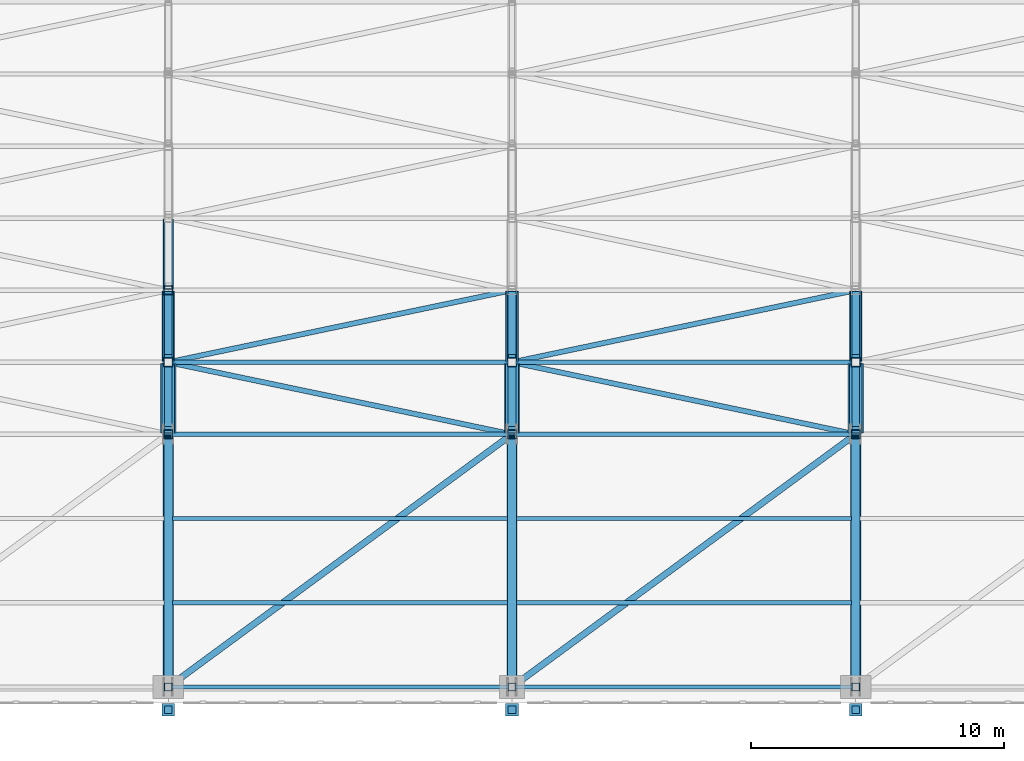
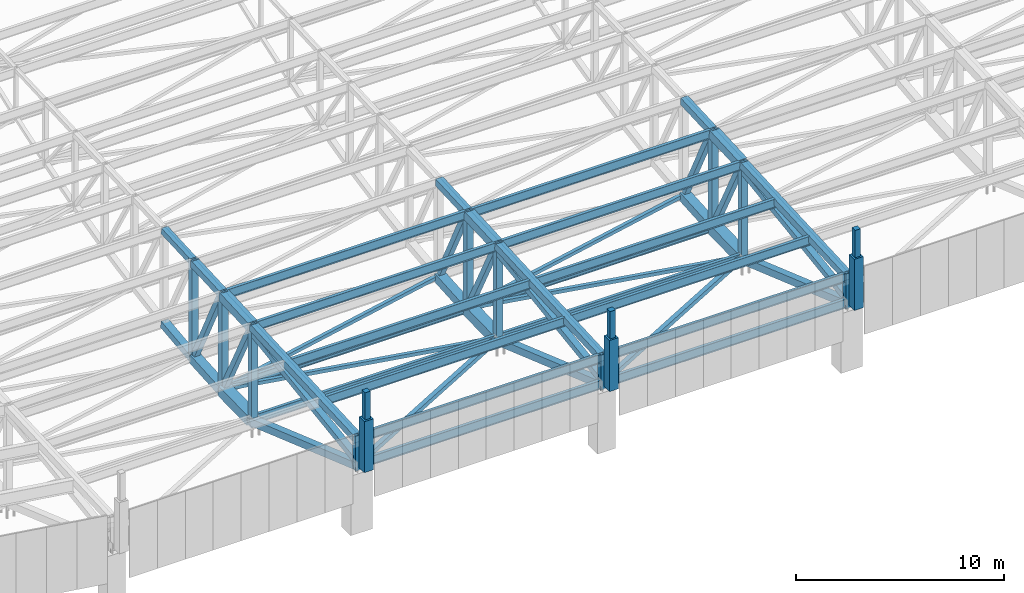
# One storey, part 18 of 278: 37 members, 30 beams.
"""IFC4 building model written with IfcOpenShell, lengths in metres."""

from ifc_helpers import new_model, si_unit, direction, frame, origin, origin_2d, place, context, subcontext, project, spatial, rectangle, hollow_rectangle, i_section, extrude, material, material_profile, profile_set, type_object, element, save


model = new_model("IFC4")

# Units and contexts
model_context = context("Model", 3, precision=1e-05, world=origin(), true_north=direction((0.0, 1.0)))
body_context = subcontext(model_context, "Body", "Model", "MODEL_VIEW")
ifc_project = project(units=[si_unit("LENGTHUNIT", "METRE"), si_unit("AREAUNIT", "SQUARE_METRE"), si_unit("VOLUMEUNIT", "CUBIC_METRE"), si_unit("PLANEANGLEUNIT", "RADIAN"), si_unit("MASSUNIT", "GRAM", prefix="KILO")], contexts=[model_context])

# Site, building, storey
site_placement = place(None, origin())
site = spatial("IfcSite", under=ifc_project, at=site_placement, CompositionType="ELEMENT")
building_placement = place(site_placement, origin())
building = spatial("IfcBuilding", under=site, at=building_placement, Name="Ogive Plaza Stadium", CompositionType="ELEMENT")
storey_placement = place(building_placement, frame((0.0, 0.0, 29.0)))
storey = spatial("IfcBuildingStorey", under=building, at=storey_placement, Name="Roof", CompositionType="ELEMENT", Elevation=29.0)

# Members
ifc_material_1 = material(Name="Concrete C45/55 precast", Category="concrete")
ifc_material_profile_1 = material_profile(ifc_material_1, rectangle(XDim=0.5, YDim=0.5, at=origin_2d()), Name="RC 500x500")
ifc_profile_set_1 = profile_set([ifc_material_profile_1], Name="Concrete C45/55 precast")
member_type_1 = type_object("IfcMemberType", Name="Precast pinnacle 500x500", PredefinedType="POST", material=ifc_profile_set_1)
for number, where, z_axis, x_axis, name in (
    (1, (6.800048828125, -103.39990234375, 4.0), (0.0, 0.0, 1.0), (1.0, 0.0, 0.0), "PINNACLE R14"),
    (2, (-6.800048828125, -103.39990234375, 4.0), (0.0, 0.0, 1.0), (1.0, 0.0, 0.0), "PINNACLE R15"),
    (3, (-20.39990234375, -103.39990234375, 4.0), (0.0, 0.0, 1.0), (1.0, 0.0, 0.0), "PINNACLE R16"),
):
    element("IfcMember", number, at=place(storey_placement, frame(where, z_axis=z_axis, x_axis=x_axis)), inside=storey, type_object=member_type_1, Name=name, PredefinedType="POST", context=body_context, shape_type="SweptSolid", body=[
        extrude(rectangle(XDim=0.5, YDim=0.5, at=origin_2d()), origin(), (0.0, 0.0, 1.0), 3.0),
    ])
ifc_material_2 = material(Name="Concrete C45/55 precast", Category="concrete")
ifc_material_profile_2 = material_profile(ifc_material_2, rectangle(XDim=0.300048828125, YDim=0.300048828125, at=origin_2d()), Name="RC 300x300")
ifc_profile_set_2 = profile_set([ifc_material_profile_2], Name="Concrete C45/55 precast")
member_type_2 = type_object("IfcMemberType", Name="Precast spire 300x300", PredefinedType="MEMBER", material=ifc_profile_set_2)
for number, where, z_axis, x_axis, name in (
    (4, (6.800048828125, -103.39990234375, 7.0), (0.0, 0.0, 1.0), (1.0, 0.0, 0.0), "SPIRE R14"),
    (5, (-6.800048828125, -103.39990234375, 7.0), (0.0, 0.0, 1.0), (1.0, 0.0, 0.0), "SPIRE R15"),
    (6, (-20.39990234375, -103.39990234375, 7.0), (0.0, 0.0, 1.0), (1.0, 0.0, 0.0), "SPIRE R16"),
):
    element("IfcMember", number, at=place(storey_placement, frame(where, z_axis=z_axis, x_axis=x_axis)), inside=storey, type_object=member_type_2, Name=name, PredefinedType="MEMBER", context=body_context, shape_type="SweptSolid", body=[
        extrude(rectangle(XDim=0.300048828125, YDim=0.300048828125, at=origin_2d()), origin(), (0.0, 0.0, 1.0), 1.60009765625),
    ])
ifc_material_3 = material(Name="Steel ASTM A500 Grade C", Category="steel")
ifc_material_profile_3 = material_profile(ifc_material_3, hollow_rectangle(XDim=0.25390625, YDim=0.25390625, WallThickness=0.0087890625, at=origin_2d()), Name="HSS10X10X3/8")
ifc_profile_set_3 = profile_set([ifc_material_profile_3], Name="Steel ASTM A500 Grade C")
member_type_3 = type_object("IfcMemberType", Name="Roof plan brace HSS10X10X3/8", PredefinedType="BRACE", material=ifc_profile_set_3)
member_1_placement = place(storey_placement, frame((6.571044921875, -92.668212890625, 0.362060546875), z_axis=(-0.789801006839, -0.580745509868, 0.197355066733), x_axis=(0.592396724098, -0.805646399655, 0.0)))
element("IfcMember", 7, at=member_1_placement, inside=storey, type_object=member_type_3, Name="ROOF BRACE B14 11", PredefinedType="BRACE", context=body_context, shape_type="SweptSolid", body=[
    extrude(hollow_rectangle(XDim=0.25390625, YDim=0.25390625, WallThickness=0.0087890625, at=origin_2d()), origin(), (0.0, 0.0, 1.0), 16.671875),
])
member_2_placement = place(storey_placement, frame((-7.02880859375, -92.668212890625, 0.362060546875), z_axis=(-0.789806515967, -0.580738793181, 0.197352784197), x_axis=(0.592389594991, -0.805651641683, 0.0)))
element("IfcMember", 8, at=member_2_placement, inside=storey, type_object=member_type_3, Name="ROOF BRACE B15 11", PredefinedType="BRACE", context=body_context, shape_type="SweptSolid", body=[
    extrude(hollow_rectangle(XDim=0.25390625, YDim=0.25390625, WallThickness=0.0087890625, at=origin_2d()), origin(), (0.0, 0.0, 1.0), 16.672119140625),
])
ifc_material_4 = material(Name="Steel ASTM A500 Grade C", Category="steel")
ifc_material_profile_4 = material_profile(ifc_material_4, hollow_rectangle(XDim=0.203125, YDim=0.203125, WallThickness=0.0087890625, at=origin_2d()), Name="HSS8X8X3/8")
ifc_profile_set_4 = profile_set([ifc_material_profile_4], Name="Steel ASTM A500 Grade C")
member_type_4 = type_object("IfcMemberType", Name="Roof plan brace HSS8X8X3/8", PredefinedType="BRACE", material=ifc_profile_set_4)
member_3_placement = place(storey_placement, frame((6.630615234375, -86.83544921875, 0.50927734375), z_axis=(-0.978688515833, -0.205096126067, -0.010216068126), x_axis=(0.205106829646, -0.978739591736, 0.0)))
element("IfcMember", 9, at=member_3_placement, inside=storey, type_object=member_type_4, Name="ROOF BRACE B14 9", PredefinedType="BRACE", context=body_context, shape_type="SweptSolid", body=[
    extrude(hollow_rectangle(XDim=0.203125, YDim=0.203125, WallThickness=0.0087890625, at=origin_2d()), origin(), (0.0, 0.0, 1.0), 13.550048828125),
])
member_4_placement = place(storey_placement, frame((-6.630615234375, -89.685546875, 0.3681640625), z_axis=(0.97872917919, -0.20510464757, -0.004612737396), x_axis=(0.205106829646, 0.978739591736, 0.0)))
element("IfcMember", 10, at=member_4_placement, inside=storey, type_object=member_type_4, Name="ROOF BRACE B14 10", PredefinedType="BRACE", context=body_context, shape_type="SweptSolid", body=[
    extrude(hollow_rectangle(XDim=0.203125, YDim=0.203125, WallThickness=0.0087890625, at=origin_2d()), origin(), (0.0, 0.0, 1.0), 13.54931640625),
])
member_5_placement = place(storey_placement, frame((-6.96923828125, -86.83544921875, 0.50927734375), z_axis=(-0.9786892756, -0.205092509512, -0.010215887981), x_axis=(0.205103212524, -0.978740349742, 0.0)))
element("IfcMember", 11, at=member_5_placement, inside=storey, type_object=member_type_4, Name="ROOF BRACE B15 9", PredefinedType="BRACE", context=body_context, shape_type="SweptSolid", body=[
    extrude(hollow_rectangle(XDim=0.203125, YDim=0.203125, WallThickness=0.0087890625, at=origin_2d()), origin(), (0.0, 0.0, 1.0), 13.55029296875),
])
member_6_placement = place(storey_placement, frame((-20.230712890625, -89.685546875, 0.3681640625), z_axis=(0.978729937555, -0.205101030564, -0.004612656051), x_axis=(0.205103212524, 0.978740349742, 0.0)))
element("IfcMember", 12, at=member_6_placement, inside=storey, type_object=member_type_4, Name="ROOF BRACE B15 10", PredefinedType="BRACE", context=body_context, shape_type="SweptSolid", body=[
    extrude(hollow_rectangle(XDim=0.203125, YDim=0.203125, WallThickness=0.0087890625, at=origin_2d()), origin(), (0.0, 0.0, 1.0), 13.549560546875),
])
ifc_material_5 = material(Name="Steel ASTM A992 Grade 50", Category="steel")
ifc_material_profile_5 = material_profile(ifc_material_5, i_section(OverallWidth=0.1650390625, OverallDepth=0.524658203125, WebThickness=0.0087890625, FlangeThickness=0.011474609375, at=origin_2d()), Name="W21X44")
ifc_profile_set_5 = profile_set([ifc_material_profile_5], Name="Steel ASTM A992 Grade 50")
member_type_5 = type_object("IfcMemberType", Name="Roof plan strut W21X44", PredefinedType="STRUT", material=ifc_profile_set_5)
for number, where, z_axis, x_axis, name in (
    (13, (6.652099609375, -89.64990234375, 0.369140625), (-1.0, 0.0, 0.0), (0.0, -1.0, 0.0), "ROOF STRUT B14 9"),
    (14, (6.652099609375, -92.5, 0.3046875), (-1.0, 0.0, 0.0), (0.0, -1.0, 0.0), "ROOF STRUT B14 10"),
):
    element("IfcMember", number, at=place(storey_placement, frame(where, z_axis=z_axis, x_axis=x_axis)), inside=storey, type_object=member_type_5, Name=name, PredefinedType="STRUT", context=body_context, shape_type="SweptSolid", body=[
        extrude(i_section(OverallWidth=0.1650390625, OverallDepth=0.524658203125, WebThickness=0.0087890625, FlangeThickness=0.011474609375, at=origin_2d()), origin(), (0.0, 0.0, 1.0), 13.30419921875),
    ])
member_7_placement = place(storey_placement, frame((6.677490234375, -102.5, 3.703125), z_axis=(-1.0, 0.0, 0.0), x_axis=(0.0, -1.0, 0.0)))
element("IfcMember", 15, at=member_7_placement, inside=storey, type_object=member_type_5, Name="ROOF STRUT B14 11", PredefinedType="STRUT", context=body_context, shape_type="SweptSolid", body=[
    extrude(i_section(OverallWidth=0.1650390625, OverallDepth=0.524658203125, WebThickness=0.0087890625, FlangeThickness=0.011474609375, at=origin_2d()), origin(), (0.0, 0.0, 1.0), 13.35498046875),
])
for number, where, z_axis, x_axis, name in (
    (16, (-6.94775390625, -89.64990234375, 0.369140625), (-1.0, 0.0, 0.0), (0.0, -1.0, 0.0), "ROOF STRUT B15 9"),
    (17, (-6.94775390625, -92.5, 0.3046875), (-1.0, 0.0, 0.0), (0.0, -1.0, 0.0), "ROOF STRUT B15 10"),
):
    element("IfcMember", number, at=place(storey_placement, frame(where, z_axis=z_axis, x_axis=x_axis)), inside=storey, type_object=member_type_5, Name=name, PredefinedType="STRUT", context=body_context, shape_type="SweptSolid", body=[
        extrude(i_section(OverallWidth=0.1650390625, OverallDepth=0.524658203125, WebThickness=0.0087890625, FlangeThickness=0.011474609375, at=origin_2d()), origin(), (0.0, 0.0, 1.0), 13.304443359375),
    ])
member_8_placement = place(storey_placement, frame((-6.92236328125, -102.5, 3.703125), z_axis=(-1.0, 0.0, 0.0), x_axis=(0.0, -1.0, 0.0)))
element("IfcMember", 18, at=member_8_placement, inside=storey, type_object=member_type_5, Name="ROOF STRUT B15 11", PredefinedType="STRUT", context=body_context, shape_type="SweptSolid", body=[
    extrude(i_section(OverallWidth=0.1650390625, OverallDepth=0.524658203125, WebThickness=0.0087890625, FlangeThickness=0.011474609375, at=origin_2d()), origin(), (0.0, 0.0, 1.0), 13.355224609375),
])
ifc_material_6 = material(Name="Steel ASTM A992 Grade 50", Category="steel")
ifc_material_profile_6 = material_profile(ifc_material_6, i_section(OverallWidth=0.1650390625, OverallDepth=0.524658203125, WebThickness=0.0087890625, FlangeThickness=0.011474609375, at=origin_2d()), Name="W21X44")
ifc_profile_set_6 = profile_set([ifc_material_profile_6], Name="Steel ASTM A992 Grade 50")
member_type_6 = type_object("IfcMemberType", Name="Roof purlin W21X44", PredefinedType="PURLIN", material=ifc_profile_set_6)
for number, where, z_axis, x_axis, name in (
    (19, (6.652099609375, -89.64990234375, 5.880126953125), (-1.0, 0.0, 0.0), (0.0, -1.0, 0.0), "ROOF PURLIN B14 9"),
    (20, (6.652099609375, -92.5, 5.737548828125), (-1.0, 0.0, 0.0), (0.0, -1.0, 0.0), "ROOF PURLIN B14 10"),
):
    element("IfcMember", number, at=place(storey_placement, frame(where, z_axis=z_axis, x_axis=x_axis)), inside=storey, type_object=member_type_6, Name=name, PredefinedType="PURLIN", context=body_context, shape_type="SweptSolid", body=[
        extrude(i_section(OverallWidth=0.1650390625, OverallDepth=0.524658203125, WebThickness=0.0087890625, FlangeThickness=0.011474609375, at=origin_2d()), origin(), (0.0, 0.0, 1.0), 13.30419921875),
    ])
for number, where, z_axis, x_axis, name in (
    (21, (6.626708984375, -95.833251953125, 5.571044921875), (-1.0, 0.0, 0.0), (0.0, -1.0, 0.0), "ROOF PURLIN B14 11"),
    (22, (6.626708984375, -99.166748046875, 5.404296875), (-1.0, 0.0, 0.0), (0.0, -1.0, 0.0), "ROOF PURLIN B14 12"),
):
    element("IfcMember", number, at=place(storey_placement, frame(where, z_axis=z_axis, x_axis=x_axis)), inside=storey, type_object=member_type_6, Name=name, PredefinedType="PURLIN", context=body_context, shape_type="SweptSolid", body=[
        extrude(i_section(OverallWidth=0.1650390625, OverallDepth=0.524658203125, WebThickness=0.0087890625, FlangeThickness=0.011474609375, at=origin_2d()), origin(), (0.0, 0.0, 1.0), 13.25341796875),
    ])
member_9_placement = place(storey_placement, frame((6.677490234375, -102.5, 5.237548828125), z_axis=(-1.0, 0.0, 0.0), x_axis=(0.0, -1.0, 0.0)))
element("IfcMember", 23, at=member_9_placement, inside=storey, type_object=member_type_6, Name="ROOF PURLIN B14 13", PredefinedType="PURLIN", context=body_context, shape_type="SweptSolid", body=[
    extrude(i_section(OverallWidth=0.1650390625, OverallDepth=0.524658203125, WebThickness=0.0087890625, FlangeThickness=0.011474609375, at=origin_2d()), origin(), (0.0, 0.0, 1.0), 13.35498046875),
])
for number, where, z_axis, x_axis, name in (
    (24, (-6.94775390625, -89.64990234375, 5.880126953125), (-1.0, 0.0, 0.0), (0.0, -1.0, 0.0), "ROOF PURLIN B15 9"),
    (25, (-6.94775390625, -92.5, 5.737548828125), (-1.0, 0.0, 0.0), (0.0, -1.0, 0.0), "ROOF PURLIN B15 10"),
):
    element("IfcMember", number, at=place(storey_placement, frame(where, z_axis=z_axis, x_axis=x_axis)), inside=storey, type_object=member_type_6, Name=name, PredefinedType="PURLIN", context=body_context, shape_type="SweptSolid", body=[
        extrude(i_section(OverallWidth=0.1650390625, OverallDepth=0.524658203125, WebThickness=0.0087890625, FlangeThickness=0.011474609375, at=origin_2d()), origin(), (0.0, 0.0, 1.0), 13.304443359375),
    ])
for number, where, z_axis, x_axis, name in (
    (26, (-6.97314453125, -95.833251953125, 5.571044921875), (-1.0, 0.0, 0.0), (0.0, -1.0, 0.0), "ROOF PURLIN B15 11"),
    (27, (-6.97314453125, -99.166748046875, 5.404296875), (-1.0, 0.0, 0.0), (0.0, -1.0, 0.0), "ROOF PURLIN B15 12"),
):
    element("IfcMember", number, at=place(storey_placement, frame(where, z_axis=z_axis, x_axis=x_axis)), inside=storey, type_object=member_type_6, Name=name, PredefinedType="PURLIN", context=body_context, shape_type="SweptSolid", body=[
        extrude(i_section(OverallWidth=0.1650390625, OverallDepth=0.524658203125, WebThickness=0.0087890625, FlangeThickness=0.011474609375, at=origin_2d()), origin(), (0.0, 0.0, 1.0), 13.253662109375),
    ])
member_10_placement = place(storey_placement, frame((-6.92236328125, -102.5, 5.237548828125), z_axis=(-1.0, 0.0, 0.0), x_axis=(0.0, -1.0, 0.0)))
element("IfcMember", 28, at=member_10_placement, inside=storey, type_object=member_type_6, Name="ROOF PURLIN B15 13", PredefinedType="PURLIN", context=body_context, shape_type="SweptSolid", body=[
    extrude(i_section(OverallWidth=0.1650390625, OverallDepth=0.524658203125, WebThickness=0.0087890625, FlangeThickness=0.011474609375, at=origin_2d()), origin(), (0.0, 0.0, 1.0), 13.355224609375),
])

# Beams
ifc_material_7 = material(Name="Steel ASTM A500 Grade C", Category="steel")
ifc_material_profile_7 = material_profile(ifc_material_7, hollow_rectangle(XDim=0.406494140625, YDim=0.406494140625, WallThickness=0.0146484375, at=origin_2d()), Name="HSS16X16X5/8")
ifc_profile_set_7 = profile_set([ifc_material_profile_7], Name="Steel ASTM A500 Grade C")
beam_type_1 = type_object("IfcBeamType", Name="Roof truss back-span bottom chord HSS16X16X5/8", PredefinedType="BEAM", material=ifc_profile_set_7)
for number, where, z_axis, x_axis, name in (
    (29, (6.800048828125, -92.550048828125, 0.232666015625), (0.0, -0.943851085966, 0.330371196567), (1.0, 0.0, 0.0), "ROOF TRUSS T14 BOTTOM CHORD 11"),
    (30, (-6.800048828125, -92.550048828125, 0.232666015625), (0.0, -0.943851085966, 0.330371196567), (1.0, 0.0, 0.0), "ROOF TRUSS T15 BOTTOM CHORD 11"),
    (31, (-20.39990234375, -92.550048828125, 0.232666015625), (0.0, -0.943851085966, 0.330371196567), (1.0, 0.0, 0.0), "ROOF TRUSS T16 BOTTOM CHORD 11"),
):
    element("IfcBeam", number, at=place(storey_placement, frame(where, z_axis=z_axis, x_axis=x_axis)), inside=storey, type_object=beam_type_1, Name=name, PredefinedType="BEAM", context=body_context, shape_type="SweptSolid", body=[
        extrude(hollow_rectangle(XDim=0.406494140625, YDim=0.406494140625, WallThickness=0.0146484375, at=origin_2d()), origin(), (0.0, 0.0, 1.0), 10.470703125),
    ])
ifc_material_8 = material(Name="Steel ASTM A500 Grade C", Category="steel")
ifc_material_profile_8 = material_profile(ifc_material_8, hollow_rectangle(XDim=0.406494140625, YDim=0.406494140625, WallThickness=0.0146484375, at=origin_2d()), Name="HSS16X16X5/8")
ifc_profile_set_8 = profile_set([ifc_material_profile_8], Name="Steel ASTM A500 Grade C")
beam_type_2 = type_object("IfcBeamType", Name="Roof truss back-span top chord HSS16X16X5/8", PredefinedType="BEAM", material=ifc_profile_set_8)
for number, where, z_axis, x_axis, name in (
    (32, (6.800048828125, -92.550048828125, 5.7939453125), (0.0, -0.998752953021, -0.049925332571), (1.0, 0.0, 0.0), "ROOF TRUSS T14 TOP CHORD 11"),
    (33, (-6.800048828125, -92.550048828125, 5.7939453125), (0.0, -0.998752953021, -0.049925332571), (1.0, 0.0, 0.0), "ROOF TRUSS T15 TOP CHORD 11"),
    (34, (-20.39990234375, -92.550048828125, 5.7939453125), (0.0, -0.998752953021, -0.049925332571), (1.0, 0.0, 0.0), "ROOF TRUSS T16 TOP CHORD 11"),
):
    element("IfcBeam", number, at=place(storey_placement, frame(where, z_axis=z_axis, x_axis=x_axis)), inside=storey, type_object=beam_type_2, Name=name, PredefinedType="BEAM", context=body_context, shape_type="SweptSolid", body=[
        extrude(hollow_rectangle(XDim=0.406494140625, YDim=0.406494140625, WallThickness=0.0146484375, at=origin_2d()), origin(), (0.0, 0.0, 1.0), 9.912353515625),
    ])

# Members
ifc_material_9 = material(Name="Steel ASTM A500 Grade C", Category="steel")
ifc_material_profile_9 = material_profile(ifc_material_9, hollow_rectangle(XDim=0.355712890625, YDim=0.355712890625, WallThickness=0.0146484375, at=origin_2d()), Name="HSS14X14X5/8")
ifc_profile_set_9 = profile_set([ifc_material_profile_9], Name="Steel ASTM A500 Grade C")
member_type_7 = type_object("IfcMemberType", Name="Roof truss back-stay HSS14X14X5/8", PredefinedType="BRACE", material=ifc_profile_set_9)
for number, where, z_axis, x_axis, name in (
    (35, (6.800048828125, -92.593017578125, 5.45654296875), (0.0, -0.989844100519, -0.142157154826), (1.0, 0.0, 0.0), "BACK-STAY T14"),
    (36, (-6.800048828125, -92.593017578125, 5.45654296875), (0.0, -0.989844100519, -0.142157154826), (1.0, 0.0, 0.0), "BACK-STAY T15"),
    (37, (-20.39990234375, -92.593017578125, 5.45654296875), (0.0, -0.989844100519, -0.142157154826), (1.0, 0.0, 0.0), "BACK-STAY T16"),
):
    element("IfcMember", number, at=place(storey_placement, frame(where, z_axis=z_axis, x_axis=x_axis)), inside=storey, type_object=member_type_7, Name=name, PredefinedType="BRACE", context=body_context, shape_type="SweptSolid", body=[
        extrude(hollow_rectangle(XDim=0.355712890625, YDim=0.355712890625, WallThickness=0.0146484375, at=origin_2d()), origin(), (0.0, 0.0, 1.0), 9.9404296875),
    ])

# Beams
ifc_material_10 = material(Name="Steel ASTM A500 Grade C", Category="steel")
ifc_material_profile_10 = material_profile(ifc_material_10, hollow_rectangle(XDim=0.406494140625, YDim=0.406494140625, WallThickness=0.0146484375, at=origin_2d()), Name="HSS16X16X5/8")
ifc_profile_set_10 = profile_set([ifc_material_profile_10], Name="Steel ASTM A500 Grade C")
beam_type_3 = type_object("IfcBeamType", Name="Roof truss bottom chord HSS16X16X5/8", PredefinedType="BEAM", material=ifc_profile_set_10)
beam_1_placement = place(storey_placement, frame((-20.39990234375, -84.0, 0.777099609375), z_axis=(0.0, -0.993703844406, -0.112038696946), x_axis=(1.0, 0.0, 0.0)))
element("IfcBeam", 38, at=beam_1_placement, inside=storey, type_object=beam_type_3, Name="ROOF TRUSS T16 BOTTOM CHORD 8", PredefinedType="BEAM", context=body_context, shape_type="SweptSolid", body=[
    extrude(hollow_rectangle(XDim=0.406494140625, YDim=0.406494140625, WallThickness=0.0146484375, at=origin_2d()), origin(), (0.0, 0.0, 1.0), 2.767333984375),
])
ifc_material_11 = material(Name="Steel ASTM A500 Grade C", Category="steel")
ifc_material_profile_11 = material_profile(ifc_material_11, hollow_rectangle(XDim=0.508056640625, YDim=0.508056640625, WallThickness=0.0146484375, at=origin_2d()), Name="HSS20X20X5/8")
ifc_profile_set_11 = profile_set([ifc_material_profile_11], Name="Steel ASTM A500 Grade C")
beam_type_4 = type_object("IfcBeamType", Name="Roof truss bottom chord HSS20X20X5/8", PredefinedType="BEAM", material=ifc_profile_set_11)
for number, where, z_axis, x_axis, name in (
    (39, (6.800048828125, -86.85009765625, 0.50830078125), (0.0, -0.997719620387, -0.06749488199), (1.0, 0.0, 0.0), "ROOF TRUSS T14 BOTTOM CHORD 9"),
    (40, (-6.800048828125, -86.85009765625, 0.50830078125), (0.0, -0.997719620387, -0.06749488199), (1.0, 0.0, 0.0), "ROOF TRUSS T15 BOTTOM CHORD 9"),
    (41, (-20.39990234375, -86.85009765625, 0.50830078125), (0.0, -0.997719620387, -0.06749488199), (1.0, 0.0, 0.0), "ROOF TRUSS T16 BOTTOM CHORD 9"),
):
    element("IfcBeam", number, at=place(storey_placement, frame(where, z_axis=z_axis, x_axis=x_axis)), inside=storey, type_object=beam_type_4, Name=name, PredefinedType="BEAM", context=body_context, shape_type="SweptSolid", body=[
        extrude(hollow_rectangle(XDim=0.508056640625, YDim=0.508056640625, WallThickness=0.0146484375, at=origin_2d()), origin(), (0.0, 0.0, 1.0), 2.75634765625),
    ])
ifc_material_12 = material(Name="Steel ASTM A500 Grade C", Category="steel")
ifc_material_profile_12 = material_profile(ifc_material_12, hollow_rectangle(XDim=0.609619140625, YDim=0.609619140625, WallThickness=0.0146484375, at=origin_2d()), Name="HSS24X24X5/8")
ifc_profile_set_12 = profile_set([ifc_material_profile_12], Name="Steel ASTM A500 Grade C")
beam_type_5 = type_object("IfcBeamType", Name="Roof truss bottom chord HSS24X24X5/8", PredefinedType="BEAM", material=ifc_profile_set_12)
for number, where, z_axis, x_axis, name in (
    (42, (6.800048828125, -89.699951171875, 0.367919921875), (0.0, -0.999745852076, -0.022543984946), (1.0, 0.0, 0.0), "ROOF TRUSS T14 BOTTOM CHORD 10"),
    (43, (-6.800048828125, -89.699951171875, 0.367919921875), (0.0, -0.999745852076, -0.022543984946), (1.0, 0.0, 0.0), "ROOF TRUSS T15 BOTTOM CHORD 10"),
    (44, (-20.39990234375, -89.699951171875, 0.367919921875), (0.0, -0.999745852076, -0.022543984946), (1.0, 0.0, 0.0), "ROOF TRUSS T16 BOTTOM CHORD 10"),
):
    element("IfcBeam", number, at=place(storey_placement, frame(where, z_axis=z_axis, x_axis=x_axis)), inside=storey, type_object=beam_type_5, Name=name, PredefinedType="BEAM", context=body_context, shape_type="SweptSolid", body=[
        extrude(hollow_rectangle(XDim=0.609619140625, YDim=0.609619140625, WallThickness=0.0146484375, at=origin_2d()), origin(), (0.0, 0.0, 1.0), 2.750732421875),
    ])

# Members
ifc_material_13 = material(Name="Steel ASTM A500 Grade C", Category="steel")
ifc_material_profile_13 = material_profile(ifc_material_13, hollow_rectangle(XDim=0.3046875, YDim=0.3046875, WallThickness=0.0087890625, at=origin_2d()), Name="HSS12X12X3/8")
ifc_profile_set_13 = profile_set([ifc_material_profile_13], Name="Steel ASTM A500 Grade C")
member_type_8 = type_object("IfcMemberType", Name="Roof truss diagonal HSS12X12X3/8", PredefinedType="BRACE", material=ifc_profile_set_13)
member_11_placement = place(storey_placement, frame((6.800048828125, -86.977783203125, 0.764892578125), z_axis=(0.0, -0.448477330766, 0.893794206621), x_axis=(1.0, 0.0, 0.0)))
element("IfcMember", 45, at=member_11_placement, inside=storey, type_object=member_type_8, Name="ROOF TRUSS T14 DIAGONAL 9", PredefinedType="BRACE", context=body_context, shape_type="SweptSolid", body=[
    extrude(hollow_rectangle(XDim=0.3046875, YDim=0.3046875, WallThickness=0.0087890625, at=origin_2d()), origin(), (0.0, 0.0, 1.0), 5.56201171875),
])
member_12_placement = place(storey_placement, frame((6.800048828125, -89.827880859375, 0.673828125), z_axis=(0.0, -0.459750963822, 0.888047887934), x_axis=(1.0, 0.0, 0.0)))
element("IfcMember", 46, at=member_12_placement, inside=storey, type_object=member_type_8, Name="ROOF TRUSS T14 DIAGONAL 10", PredefinedType="BRACE", context=body_context, shape_type="SweptSolid", body=[
    extrude(hollow_rectangle(XDim=0.3046875, YDim=0.3046875, WallThickness=0.0087890625, at=origin_2d()), origin(), (0.0, 0.0, 1.0), 5.425537109375),
])
member_13_placement = place(storey_placement, frame((-6.800048828125, -86.977783203125, 0.764892578125), z_axis=(0.0, -0.448477330766, 0.893794206621), x_axis=(1.0, 0.0, 0.0)))
element("IfcMember", 47, at=member_13_placement, inside=storey, type_object=member_type_8, Name="ROOF TRUSS T15 DIAGONAL 9", PredefinedType="BRACE", context=body_context, shape_type="SweptSolid", body=[
    extrude(hollow_rectangle(XDim=0.3046875, YDim=0.3046875, WallThickness=0.0087890625, at=origin_2d()), origin(), (0.0, 0.0, 1.0), 5.56201171875),
])
member_14_placement = place(storey_placement, frame((-6.800048828125, -89.827880859375, 0.673828125), z_axis=(0.0, -0.459750963822, 0.888047887934), x_axis=(1.0, 0.0, 0.0)))
element("IfcMember", 48, at=member_14_placement, inside=storey, type_object=member_type_8, Name="ROOF TRUSS T15 DIAGONAL 10", PredefinedType="BRACE", context=body_context, shape_type="SweptSolid", body=[
    extrude(hollow_rectangle(XDim=0.3046875, YDim=0.3046875, WallThickness=0.0087890625, at=origin_2d()), origin(), (0.0, 0.0, 1.0), 5.425537109375),
])
member_15_placement = place(storey_placement, frame((-20.39990234375, -86.977783203125, 0.764892578125), z_axis=(0.0, -0.448477330766, 0.893794206621), x_axis=(1.0, 0.0, 0.0)))
element("IfcMember", 49, at=member_15_placement, inside=storey, type_object=member_type_8, Name="ROOF TRUSS T16 DIAGONAL 9", PredefinedType="BRACE", context=body_context, shape_type="SweptSolid", body=[
    extrude(hollow_rectangle(XDim=0.3046875, YDim=0.3046875, WallThickness=0.0087890625, at=origin_2d()), origin(), (0.0, 0.0, 1.0), 5.56201171875),
])
member_16_placement = place(storey_placement, frame((-20.39990234375, -89.827880859375, 0.673828125), z_axis=(0.0, -0.459750963822, 0.888047887934), x_axis=(1.0, 0.0, 0.0)))
element("IfcMember", 50, at=member_16_placement, inside=storey, type_object=member_type_8, Name="ROOF TRUSS T16 DIAGONAL 10", PredefinedType="BRACE", context=body_context, shape_type="SweptSolid", body=[
    extrude(hollow_rectangle(XDim=0.3046875, YDim=0.3046875, WallThickness=0.0087890625, at=origin_2d()), origin(), (0.0, 0.0, 1.0), 5.425537109375),
])

# Beams
ifc_material_14 = material(Name="Steel ASTM A500 Grade C", Category="steel")
ifc_material_profile_14 = material_profile(ifc_material_14, hollow_rectangle(XDim=0.3046875, YDim=0.3046875, WallThickness=0.01171875, at=origin_2d()), Name="HSS12X12X1/2")
ifc_profile_set_14 = profile_set([ifc_material_profile_14], Name="Steel ASTM A500 Grade C")
beam_type_6 = type_object("IfcBeamType", Name="Roof truss post HSS12X12X1/2", PredefinedType="BEAM", material=ifc_profile_set_14)
for number, where, z_axis, x_axis, name in (
    (51, (6.800048828125, -102.5, 3.43994140625), (0.0, 0.0, 1.0), (1.0, 0.0, 0.0), "ROOF TRUSS T14 POST 12"),
    (52, (-6.800048828125, -102.5, 3.43994140625), (0.0, 0.0, 1.0), (1.0, 0.0, 0.0), "ROOF TRUSS T15 POST 12"),
    (53, (-20.39990234375, -102.5, 3.43994140625), (0.0, 0.0, 1.0), (1.0, 0.0, 0.0), "ROOF TRUSS T16 POST 12"),
):
    element("IfcBeam", number, at=place(storey_placement, frame(where, z_axis=z_axis, x_axis=x_axis)), inside=storey, type_object=beam_type_6, Name=name, PredefinedType="BEAM", context=body_context, shape_type="SweptSolid", body=[
        extrude(hollow_rectangle(XDim=0.3046875, YDim=0.3046875, WallThickness=0.01171875, at=origin_2d()), origin(), (0.0, 0.0, 1.0), 2.06005859375),
    ])
ifc_material_15 = material(Name="Steel ASTM A500 Grade C", Category="steel")
ifc_material_profile_15 = material_profile(ifc_material_15, hollow_rectangle(XDim=0.355712890625, YDim=0.355712890625, WallThickness=0.0146484375, at=origin_2d()), Name="HSS14X14X5/8")
ifc_profile_set_15 = profile_set([ifc_material_profile_15], Name="Steel ASTM A500 Grade C")
beam_type_7 = type_object("IfcBeamType", Name="Roof truss post HSS14X14X5/8", PredefinedType="BEAM", material=ifc_profile_set_15)
beam_2_placement = place(storey_placement, frame((6.800048828125, -89.64990234375, 0.064208984375), z_axis=(0.0, 0.0, 1.0), x_axis=(1.0, 0.0, 0.0)))
element("IfcBeam", 54, at=beam_2_placement, inside=storey, type_object=beam_type_7, Name="ROOF TRUSS T14 POST 10", PredefinedType="BEAM", context=body_context, shape_type="SweptSolid", body=[
    extrude(hollow_rectangle(XDim=0.355712890625, YDim=0.355712890625, WallThickness=0.0146484375, at=origin_2d()), origin(), (0.0, 0.0, 1.0), 6.078369140625),
])
beam_3_placement = place(storey_placement, frame((6.800048828125, -92.5, -0.06005859375), z_axis=(0.0, 0.0, 1.0), x_axis=(1.0, 0.0, 0.0)))
element("IfcBeam", 55, at=beam_3_placement, inside=storey, type_object=beam_type_7, Name="ROOF TRUSS T14 POST 11", PredefinedType="BEAM", context=body_context, shape_type="SweptSolid", body=[
    extrude(hollow_rectangle(XDim=0.355712890625, YDim=0.355712890625, WallThickness=0.0146484375, at=origin_2d()), origin(), (0.0, 0.0, 1.0), 6.06005859375),
])
beam_4_placement = place(storey_placement, frame((-6.800048828125, -89.64990234375, 0.064208984375), z_axis=(0.0, 0.0, 1.0), x_axis=(1.0, 0.0, 0.0)))
element("IfcBeam", 56, at=beam_4_placement, inside=storey, type_object=beam_type_7, Name="ROOF TRUSS T15 POST 10", PredefinedType="BEAM", context=body_context, shape_type="SweptSolid", body=[
    extrude(hollow_rectangle(XDim=0.355712890625, YDim=0.355712890625, WallThickness=0.0146484375, at=origin_2d()), origin(), (0.0, 0.0, 1.0), 6.078369140625),
])
beam_5_placement = place(storey_placement, frame((-6.800048828125, -92.5, -0.06005859375), z_axis=(0.0, 0.0, 1.0), x_axis=(1.0, 0.0, 0.0)))
element("IfcBeam", 57, at=beam_5_placement, inside=storey, type_object=beam_type_7, Name="ROOF TRUSS T15 POST 11", PredefinedType="BEAM", context=body_context, shape_type="SweptSolid", body=[
    extrude(hollow_rectangle(XDim=0.355712890625, YDim=0.355712890625, WallThickness=0.0146484375, at=origin_2d()), origin(), (0.0, 0.0, 1.0), 6.06005859375),
])
beam_6_placement = place(storey_placement, frame((-20.39990234375, -86.800048828125, 0.257080078125), z_axis=(0.0, 0.0, 1.0), x_axis=(1.0, 0.0, 0.0)))
element("IfcBeam", 58, at=beam_6_placement, inside=storey, type_object=beam_type_7, Name="ROOF TRUSS T16 POST 9", PredefinedType="BEAM", context=body_context, shape_type="SweptSolid", body=[
    extrude(hollow_rectangle(XDim=0.355712890625, YDim=0.355712890625, WallThickness=0.0146484375, at=origin_2d()), origin(), (0.0, 0.0, 1.0), 6.02783203125),
])
beam_7_placement = place(storey_placement, frame((-20.39990234375, -89.64990234375, 0.064208984375), z_axis=(0.0, 0.0, 1.0), x_axis=(1.0, 0.0, 0.0)))
element("IfcBeam", 59, at=beam_7_placement, inside=storey, type_object=beam_type_7, Name="ROOF TRUSS T16 POST 10", PredefinedType="BEAM", context=body_context, shape_type="SweptSolid", body=[
    extrude(hollow_rectangle(XDim=0.355712890625, YDim=0.355712890625, WallThickness=0.0146484375, at=origin_2d()), origin(), (0.0, 0.0, 1.0), 6.078369140625),
])
beam_8_placement = place(storey_placement, frame((-20.39990234375, -92.5, -0.06005859375), z_axis=(0.0, 0.0, 1.0), x_axis=(1.0, 0.0, 0.0)))
element("IfcBeam", 60, at=beam_8_placement, inside=storey, type_object=beam_type_7, Name="ROOF TRUSS T16 POST 11", PredefinedType="BEAM", context=body_context, shape_type="SweptSolid", body=[
    extrude(hollow_rectangle(XDim=0.355712890625, YDim=0.355712890625, WallThickness=0.0146484375, at=origin_2d()), origin(), (0.0, 0.0, 1.0), 6.06005859375),
])
ifc_material_16 = material(Name="Steel ASTM A500 Grade C", Category="steel")
ifc_material_profile_16 = material_profile(ifc_material_16, hollow_rectangle(XDim=0.355712890625, YDim=0.355712890625, WallThickness=0.01171875, at=origin_2d()), Name="HSS14X14X1/2")
ifc_profile_set_16 = profile_set([ifc_material_profile_16], Name="Steel ASTM A500 Grade C")
beam_type_8 = type_object("IfcBeamType", Name="Roof truss top chord HSS14X14X1/2", PredefinedType="BEAM", material=ifc_profile_set_16)
beam_9_placement = place(storey_placement, frame((-20.39990234375, -84.0, 6.2470703125), z_axis=(0.0, -0.998748798523, -0.05000837379), x_axis=(1.0, 0.0, 0.0)))
element("IfcBeam", 61, at=beam_9_placement, inside=storey, type_object=beam_type_8, Name="ROOF TRUSS T16 TOP CHORD 8", PredefinedType="BEAM", context=body_context, shape_type="SweptSolid", body=[
    extrude(hollow_rectangle(XDim=0.355712890625, YDim=0.355712890625, WallThickness=0.01171875, at=origin_2d()), origin(), (0.0, 0.0, 1.0), 2.75341796875),
])
ifc_material_17 = material(Name="Steel ASTM A500 Grade C", Category="steel")
ifc_material_profile_17 = material_profile(ifc_material_17, hollow_rectangle(XDim=0.406494140625, YDim=0.406494140625, WallThickness=0.01171875, at=origin_2d()), Name="HSS16X16X1/2")
ifc_profile_set_17 = profile_set([ifc_material_profile_17], Name="Steel ASTM A500 Grade C")
beam_type_9 = type_object("IfcBeamType", Name="Roof truss top chord HSS16X16X1/2", PredefinedType="BEAM", material=ifc_profile_set_17)
for number, where, z_axis, x_axis, name in (
    (62, (6.800048828125, -86.85009765625, 6.0791015625), (0.0, -0.998753223187, -0.049919927615), (1.0, 0.0, 0.0), "ROOF TRUSS T14 TOP CHORD 9"),
    (63, (-6.800048828125, -86.85009765625, 6.0791015625), (0.0, -0.998753223187, -0.049919927615), (1.0, 0.0, 0.0), "ROOF TRUSS T15 TOP CHORD 9"),
    (64, (-20.39990234375, -86.85009765625, 6.0791015625), (0.0, -0.998753223187, -0.049919927615), (1.0, 0.0, 0.0), "ROOF TRUSS T16 TOP CHORD 9"),
):
    element("IfcBeam", number, at=place(storey_placement, frame(where, z_axis=z_axis, x_axis=x_axis)), inside=storey, type_object=beam_type_9, Name=name, PredefinedType="BEAM", context=body_context, shape_type="SweptSolid", body=[
        extrude(hollow_rectangle(XDim=0.406494140625, YDim=0.406494140625, WallThickness=0.01171875, at=origin_2d()), origin(), (0.0, 0.0, 1.0), 2.75341796875),
    ])
ifc_material_18 = material(Name="Steel ASTM A500 Grade C", Category="steel")
ifc_material_profile_18 = material_profile(ifc_material_18, hollow_rectangle(XDim=0.508056640625, YDim=0.508056640625, WallThickness=0.0146484375, at=origin_2d()), Name="HSS20X20X5/8")
ifc_profile_set_18 = profile_set([ifc_material_profile_18], Name="Steel ASTM A500 Grade C")
beam_type_10 = type_object("IfcBeamType", Name="Roof truss top chord HSS20X20X5/8", PredefinedType="BEAM", material=ifc_profile_set_18)
for number, where, z_axis, x_axis, name in (
    (65, (6.800048828125, -89.699951171875, 5.8857421875), (0.0, -0.998753223187, -0.049919927615), (1.0, 0.0, 0.0), "ROOF TRUSS T14 TOP CHORD 10"),
    (66, (-6.800048828125, -89.699951171875, 5.8857421875), (0.0, -0.998753223187, -0.049919927615), (1.0, 0.0, 0.0), "ROOF TRUSS T15 TOP CHORD 10"),
    (67, (-20.39990234375, -89.699951171875, 5.8857421875), (0.0, -0.998753223187, -0.049919927615), (1.0, 0.0, 0.0), "ROOF TRUSS T16 TOP CHORD 10"),
):
    element("IfcBeam", number, at=place(storey_placement, frame(where, z_axis=z_axis, x_axis=x_axis)), inside=storey, type_object=beam_type_10, Name=name, PredefinedType="BEAM", context=body_context, shape_type="SweptSolid", body=[
        extrude(hollow_rectangle(XDim=0.508056640625, YDim=0.508056640625, WallThickness=0.0146484375, at=origin_2d()), origin(), (0.0, 0.0, 1.0), 2.75341796875),
    ])

save(model, "model.ifc")
